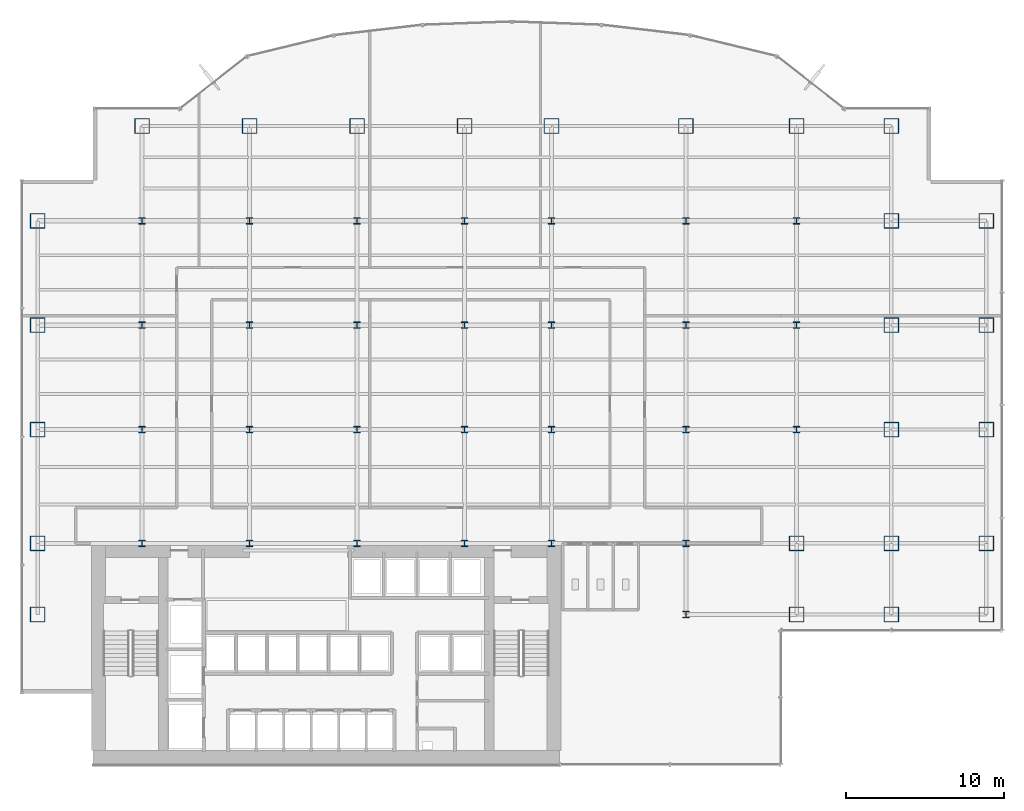
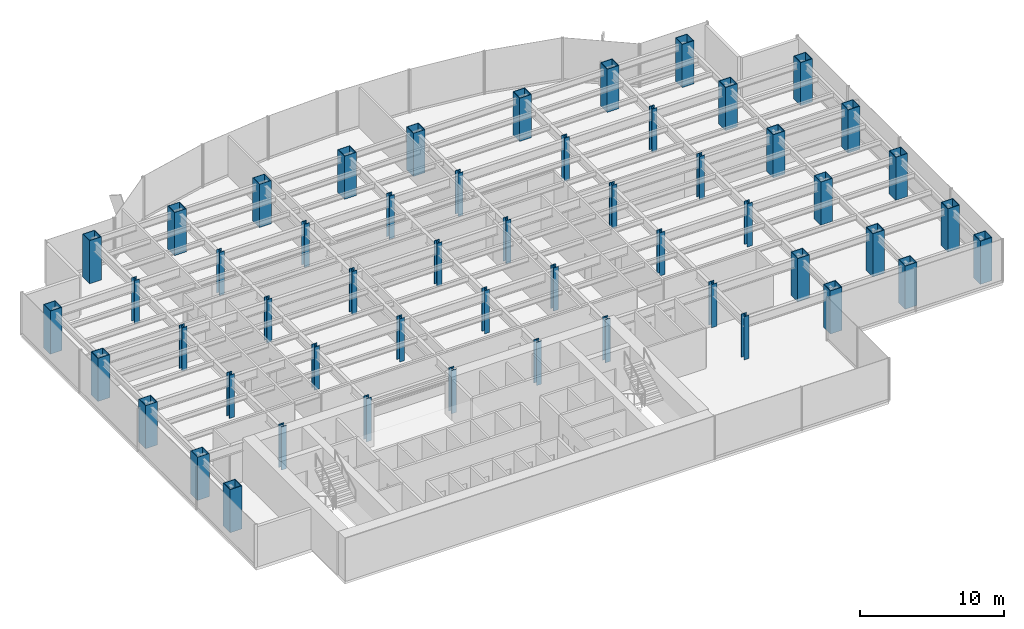
# One storey, part 1 of 23: 53 columns.
"""IFC4 building model written with IfcOpenShell, lengths in metres."""

from ifc_helpers import new_model, si_unit, derived_unit, direction, frame, origin, origin_2d, place, context, subcontext, project, spatial, hollow_rectangle, i_section, extrude, source, transform, mapped, material, material_profile, profile_set, type_object, element, save


model = new_model("IFC4")

# Units and contexts
model_context = context("Model", 3, precision=1e-05, world=origin(), true_north=direction((0.0, 1.0)))
body_context = subcontext(model_context, "Body", "Model", "MODEL_VIEW")
ifc_project = project(units=[si_unit("LENGTHUNIT", "METRE"), si_unit("AREAUNIT", "SQUARE_METRE"), si_unit("VOLUMEUNIT", "CUBIC_METRE"), si_unit("PLANEANGLEUNIT", "RADIAN"), si_unit("MASSUNIT", "GRAM", prefix="KILO"), derived_unit("THERMALTRANSMITTANCEUNIT", [(si_unit("POWERUNIT", "WATT"), 1), (si_unit("LENGTHUNIT", "METRE"), -2), (si_unit("THERMODYNAMICTEMPERATUREUNIT", "KELVIN"), -1)])], contexts=[model_context])

# Site, building, storey
site_placement = place(None, origin())
site = spatial("IfcSite", under=ifc_project, at=site_placement, CompositionType="ELEMENT")
building_placement = place(site_placement, origin())
building = spatial("IfcBuilding", under=site, at=building_placement, Name="Skarnbrae Concourse Arena and Tower", CompositionType="ELEMENT")
storey_placement = place(building_placement, frame((0.0, 0.0, 54.39990234375)))
storey = spatial("IfcBuildingStorey", under=building, at=storey_placement, Name="L12", CompositionType="ELEMENT", Elevation=54.39990234375)

# Columns
ifc_material = material(Name="Steel CSA G40.21 350W", Category="steel")
ifc_material_profile_1 = material_profile(ifc_material, hollow_rectangle(XDim=0.949951171875, YDim=0.949951171875, WallThickness=0.044921875, at=origin_2d()), Name="BOX950X950X45")
ifc_profile_set_1 = profile_set([ifc_material_profile_1], Name="Steel CSA G40.21 350W")
column_type_1 = type_object("IfcColumnType", Name="COL-TUBE-BOX950", PredefinedType="COLUMN", material=ifc_profile_set_1)
shared_shape_1 = source(origin(), body_context, "Body", "SweptSolid", [
    extrude(hollow_rectangle(XDim=0.949951171875, YDim=0.949951171875, WallThickness=0.044921875, at=origin_2d()), origin(), (0.0, 0.0, 1.0), 3.650146484375),
])
for number, where, z_axis, x_axis, name in (
    (1, (1.0, 9.5, 0.0), (0.0, 0.0, 1.0), (1.0, 0.0, 0.0), "L12 Tower column PC_01_01"),
    (2, (1.0, 14.0, 0.0), (0.0, 0.0, 1.0), (1.0, 0.0, 0.0), "L12 Tower column PC_01_02"),
    (3, (1.0, 21.199951171875, 0.0), (0.0, 0.0, 1.0), (1.0, 0.0, 0.0), "L12 Tower column PC_01_03"),
    (4, (1.0, 27.800048828125, 0.0), (0.0, 0.0, 1.0), (1.0, 0.0, 0.0), "L12 Tower column PC_01_04"),
    (5, (1.0, 34.39990234375, 0.0), (0.0, 0.0, 1.0), (1.0, 0.0, 0.0), "L12 Tower column PC_01_05"),
    (6, (7.60009765625, 40.39990234375, 0.0), (0.0, 0.0, 1.0), (1.0, 0.0, 0.0), "L12 Tower column PC_02_06"),
    (7, (14.39990234375, 40.39990234375, 0.0), (0.0, 0.0, 1.0), (1.0, 0.0, 0.0), "L12 Tower column PC_03_06"),
    (8, (21.199951171875, 40.39990234375, 0.0), (0.0, 0.0, 1.0), (1.0, 0.0, 0.0), "L12 Tower column PC_04_06"),
    (9, (28.0, 40.39990234375, 0.0), (0.0, 0.0, 1.0), (1.0, 0.0, 0.0), "L12 Tower column PC_05_06"),
    (10, (33.5, 40.39990234375, 0.0), (0.0, 0.0, 1.0), (1.0, 0.0, 0.0), "L12 Tower column PC_06_06"),
    (11, (42.0, 40.39990234375, 0.0), (0.0, 0.0, 1.0), (1.0, 0.0, 0.0), "L12 Tower column PC_07_06"),
    (12, (49.0, 9.5, 0.0), (0.0, 0.0, 1.0), (1.0, 0.0, 0.0), "L12 Tower column PC_08_01"),
    (13, (49.0, 14.0, 0.0), (0.0, 0.0, 1.0), (1.0, 0.0, 0.0), "L12 Tower column PC_08_02"),
    (14, (49.0, 40.39990234375, 0.0), (0.0, 0.0, 1.0), (1.0, 0.0, 0.0), "L12 Tower column PC_08_06"),
    (15, (55.0, 9.5, 0.0), (0.0, 0.0, 1.0), (1.0, 0.0, 0.0), "L12 Tower column PC_09_01"),
    (16, (55.0, 14.0, 0.0), (0.0, 0.0, 1.0), (1.0, 0.0, 0.0), "L12 Tower column PC_09_02"),
    (17, (55.0, 21.199951171875, 0.0), (0.0, 0.0, 1.0), (1.0, 0.0, 0.0), "L12 Tower column PC_09_03"),
    (18, (55.0, 27.800048828125, 0.0), (0.0, 0.0, 1.0), (1.0, 0.0, 0.0), "L12 Tower column PC_09_04"),
    (19, (55.0, 34.39990234375, 0.0), (0.0, 0.0, 1.0), (1.0, 0.0, 0.0), "L12 Tower column PC_09_05"),
    (20, (55.0, 40.39990234375, 0.0), (0.0, 0.0, 1.0), (1.0, 0.0, 0.0), "L12 Tower column PC_09_06"),
    (21, (61.0, 9.5, 0.0), (0.0, 0.0, 1.0), (1.0, 0.0, 0.0), "L12 Tower column PC_10_01"),
    (22, (61.0, 14.0, 0.0), (0.0, 0.0, 1.0), (1.0, 0.0, 0.0), "L12 Tower column PC_10_02"),
    (23, (61.0, 21.199951171875, 0.0), (0.0, 0.0, 1.0), (1.0, 0.0, 0.0), "L12 Tower column PC_10_03"),
    (24, (61.0, 27.800048828125, 0.0), (0.0, 0.0, 1.0), (1.0, 0.0, 0.0), "L12 Tower column PC_10_04"),
    (25, (61.0, 34.39990234375, 0.0), (0.0, 0.0, 1.0), (1.0, 0.0, 0.0), "L12 Tower column PC_10_05"),
):
    element("IfcColumn", number, at=place(storey_placement, frame(where, z_axis=z_axis, x_axis=x_axis)), inside=storey, type_object=column_type_1, Name=name, PredefinedType="COLUMN", context=body_context, shape_type="MappedRepresentation", body=[
        mapped(shared_shape_1, transform((0.0, 0.0, 0.0))),
    ])
ifc_material_profile_2 = material_profile(ifc_material, i_section(OverallWidth=0.406005859375, OverallDepth=0.416015625, WebThickness=0.02978515625, FlangeThickness=0.048095703125, at=origin_2d()), Name="W360X382")
ifc_profile_set_2 = profile_set([ifc_material_profile_2], Name="Steel CSA G40.21 350W")
column_type_2 = type_object("IfcColumnType", Name="COL-INT-W360X382", PredefinedType="COLUMN", material=ifc_profile_set_2)
shared_shape_2 = source(origin(), body_context, "Body", "SweptSolid", [
    extrude(i_section(OverallWidth=0.406005859375, OverallDepth=0.416015625, WebThickness=0.02978515625, FlangeThickness=0.048095703125, at=origin_2d()), origin(), (0.0, 0.0, 1.0), 3.650146484375),
])
for number, where, z_axis, x_axis, name in (
    (26, (7.60009765625, 14.0, 0.0), (0.0, 0.0, 1.0), (1.0, 0.0, 0.0), "L12 Tower column IC_02_02"),
    (27, (7.60009765625, 21.199951171875, 0.0), (0.0, 0.0, 1.0), (1.0, 0.0, 0.0), "L12 Tower column IC_02_03"),
    (28, (7.60009765625, 27.800048828125, 0.0), (0.0, 0.0, 1.0), (1.0, 0.0, 0.0), "L12 Tower column IC_02_04"),
    (29, (7.60009765625, 34.39990234375, 0.0), (0.0, 0.0, 1.0), (1.0, 0.0, 0.0), "L12 Tower column IC_02_05"),
    (30, (14.39990234375, 14.0, 0.0), (0.0, 0.0, 1.0), (1.0, 0.0, 0.0), "L12 Tower column IC_03_02"),
    (31, (14.39990234375, 21.199951171875, 0.0), (0.0, 0.0, 1.0), (1.0, 0.0, 0.0), "L12 Tower column IC_03_03"),
    (32, (14.39990234375, 27.800048828125, 0.0), (0.0, 0.0, 1.0), (1.0, 0.0, 0.0), "L12 Tower column IC_03_04"),
    (33, (14.39990234375, 34.39990234375, 0.0), (0.0, 0.0, 1.0), (1.0, 0.0, 0.0), "L12 Tower column IC_03_05"),
    (34, (21.199951171875, 14.0, 0.0), (0.0, 0.0, 1.0), (1.0, 0.0, 0.0), "L12 Tower column IC_04_02"),
    (35, (21.199951171875, 21.199951171875, 0.0), (0.0, 0.0, 1.0), (1.0, 0.0, 0.0), "L12 Tower column IC_04_03"),
    (36, (21.199951171875, 27.800048828125, 0.0), (0.0, 0.0, 1.0), (1.0, 0.0, 0.0), "L12 Tower column IC_04_04"),
    (37, (21.199951171875, 34.39990234375, 0.0), (0.0, 0.0, 1.0), (1.0, 0.0, 0.0), "L12 Tower column IC_04_05"),
    (38, (28.0, 14.0, 0.0), (0.0, 0.0, 1.0), (1.0, 0.0, 0.0), "L12 Tower column IC_05_02"),
    (39, (28.0, 21.199951171875, 0.0), (0.0, 0.0, 1.0), (1.0, 0.0, 0.0), "L12 Tower column IC_05_03"),
    (40, (28.0, 27.800048828125, 0.0), (0.0, 0.0, 1.0), (1.0, 0.0, 0.0), "L12 Tower column IC_05_04"),
    (41, (28.0, 34.39990234375, 0.0), (0.0, 0.0, 1.0), (1.0, 0.0, 0.0), "L12 Tower column IC_05_05"),
    (42, (33.5, 14.0, 0.0), (0.0, 0.0, 1.0), (1.0, 0.0, 0.0), "L12 Tower column IC_06_02"),
    (43, (33.5, 21.199951171875, 0.0), (0.0, 0.0, 1.0), (1.0, 0.0, 0.0), "L12 Tower column IC_06_03"),
    (44, (33.5, 27.800048828125, 0.0), (0.0, 0.0, 1.0), (1.0, 0.0, 0.0), "L12 Tower column IC_06_04"),
    (45, (33.5, 34.39990234375, 0.0), (0.0, 0.0, 1.0), (1.0, 0.0, 0.0), "L12 Tower column IC_06_05"),
    (46, (42.0, 9.5, 0.0), (0.0, 0.0, 1.0), (1.0, 0.0, 0.0), "L12 Tower column IC_07_01"),
    (47, (42.0, 14.0, 0.0), (0.0, 0.0, 1.0), (1.0, 0.0, 0.0), "L12 Tower column IC_07_02"),
    (48, (42.0, 21.199951171875, 0.0), (0.0, 0.0, 1.0), (1.0, 0.0, 0.0), "L12 Tower column IC_07_03"),
    (49, (42.0, 27.800048828125, 0.0), (0.0, 0.0, 1.0), (1.0, 0.0, 0.0), "L12 Tower column IC_07_04"),
    (50, (42.0, 34.39990234375, 0.0), (0.0, 0.0, 1.0), (1.0, 0.0, 0.0), "L12 Tower column IC_07_05"),
    (51, (49.0, 21.199951171875, 0.0), (0.0, 0.0, 1.0), (1.0, 0.0, 0.0), "L12 Tower column IC_08_03"),
    (52, (49.0, 27.800048828125, 0.0), (0.0, 0.0, 1.0), (1.0, 0.0, 0.0), "L12 Tower column IC_08_04"),
    (53, (49.0, 34.39990234375, 0.0), (0.0, 0.0, 1.0), (1.0, 0.0, 0.0), "L12 Tower column IC_08_05"),
):
    element("IfcColumn", number, at=place(storey_placement, frame(where, z_axis=z_axis, x_axis=x_axis)), inside=storey, type_object=column_type_2, Name=name, PredefinedType="COLUMN", context=body_context, shape_type="MappedRepresentation", body=[
        mapped(shared_shape_2, transform((0.0, 0.0, 0.0))),
    ])

save(model, "model.ifc")
